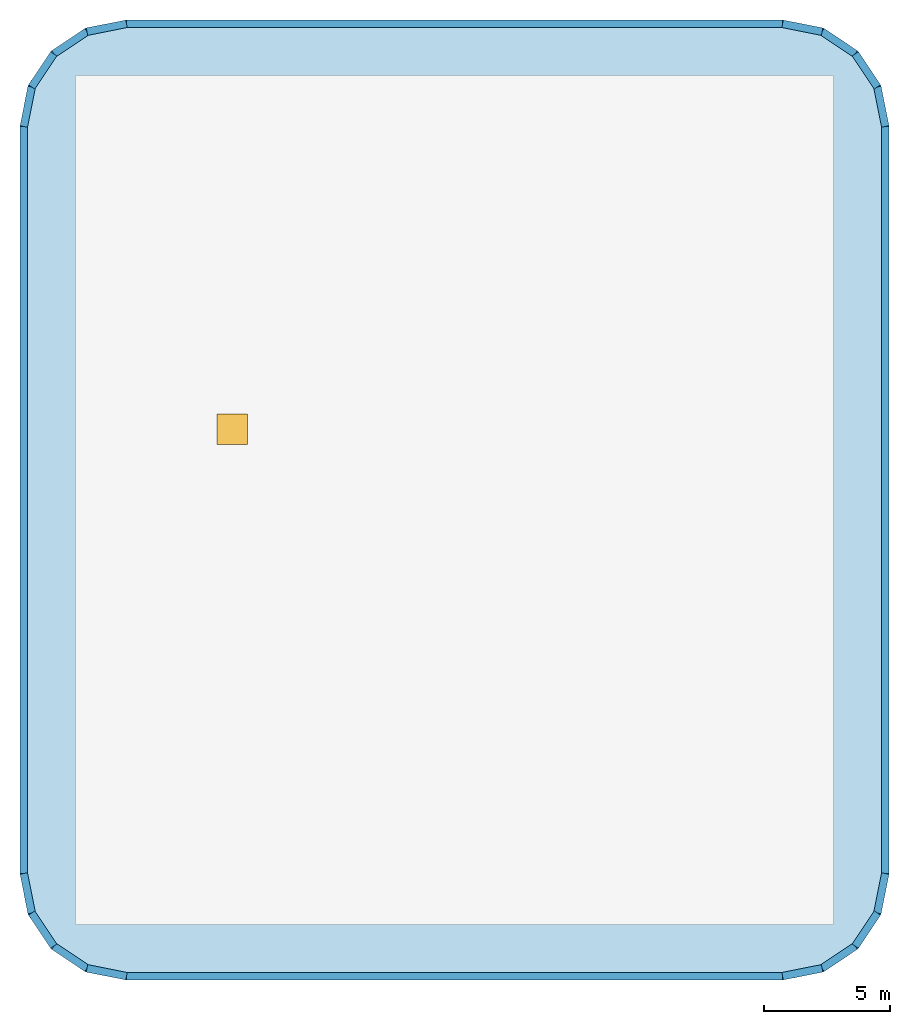
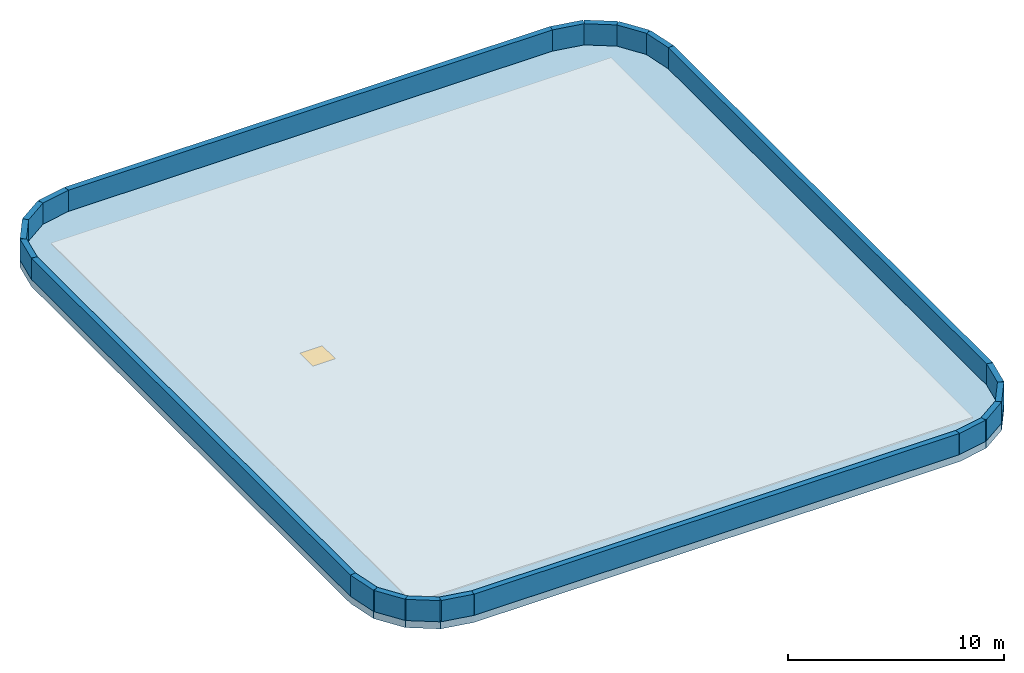
"""IFC4 building model written with IfcOpenShell, lengths in metres."""

from ifc_helpers import new_model, si_unit, direction, frame, frame_2d, origin, origin_2d, place, context, subcontext, project, spatial, polyline, rectangle, outline, extrude, material, layer, layer_set, type_object, element, fill, save


model = new_model("IFC4")

# Units and contexts
model_context = context("Model", 3, precision=1e-05, world=origin(), true_north=direction((0.0, 1.0)))
body_context = subcontext(model_context, "Body", "Model", "MODEL_VIEW")
ifc_project = project(units=[si_unit("LENGTHUNIT", "METRE"), si_unit("AREAUNIT", "SQUARE_METRE"), si_unit("VOLUMEUNIT", "CUBIC_METRE"), si_unit("PLANEANGLEUNIT", "RADIAN"), si_unit("MASSUNIT", "GRAM", prefix="KILO")], contexts=[model_context])

# Site, building, storey
site_placement = place(None, origin())
site = spatial("IfcSite", under=ifc_project, at=site_placement, CompositionType="ELEMENT")
building_placement = place(site_placement, origin())
building = spatial("IfcBuilding", under=site, at=building_placement, Name="Tolvann Quenvar Hotel", CompositionType="ELEMENT")
storey_1_placement = place(building_placement, frame((0.0, 0.0, 313.75)))
storey_1 = spatial("IfcBuildingStorey", under=building, at=storey_1_placement, Name="RF", CompositionType="ELEMENT", Elevation=313.75)

# Slab, opening
ifc_material_1 = material(Name="Concrete N50 (50 MPa)", Category="concrete")
ifc_layer_1 = layer(ifc_material_1, 0.39990234375)
ifc_layer_set_1 = layer_set([ifc_layer_1], Name="Concrete N50 (50 MPa)")
slab_type = type_object("IfcSlabType", Name="SLAB_ROOF_400", PredefinedType="ROOF", material=ifc_layer_set_1)
slab_placement = place(storey_1_placement, frame((0.0, 0.0, -0.39990234375)))
slab = element("IfcSlab", 1, at=slab_placement, inside=storey_1, type_object=slab_type, Name="Lantern Structural Cap Roof Slab", PredefinedType="ROOF", context=body_context, shape_type="SweptSolid", body=[
    extrude(outline(polyline([(3.60009765625, 10.39990234375), (3.919677734375, 8.792724609375), (4.830078125, 7.43017578125), (6.192626953125, 6.519775390625), (7.800048828125, 6.199951171875), (33.800048828125, 6.199951171875), (35.4072265625, 6.519775390625), (36.769775390625, 7.43017578125), (37.680419921875, 8.792724609375), (38.0, 10.39990234375), (38.0, 40.0), (37.680419921875, 41.607421875), (36.769775390625, 42.9697265625), (35.4072265625, 43.88037109375), (33.800048828125, 44.199951171875), (7.800048828125, 44.199951171875), (6.192626953125, 43.88037109375), (4.830078125, 42.9697265625), (3.919677734375, 41.607421875), (3.60009765625, 40.0), (3.60009765625, 10.39990234375)])), origin(), (0.0, 0.0, 1.0), 0.39990234375),
])
opening_placement = place(slab_placement, frame((12.0, 28.0, 0.0)))
opening = element("IfcOpeningElement", 2, at=opening_placement, cuts=slab, Name="Opening SK-01", PredefinedType="OPENING", context=body_context, shape_type="SweptSolid", body=[
    extrude(rectangle(XDim=1.199951171875, YDim=1.199951171875, at=origin_2d()), frame((0.0, 0.0, -0.010009765625)), (0.0, 0.0, 1.0), 0.419921875),
])

# Storey
storey_2_placement = place(building_placement, frame((0.0, 0.0, 309.949951171875)))
storey_2 = spatial("IfcBuildingStorey", under=building, at=storey_2_placement, Name="L82", CompositionType="ELEMENT", Elevation=309.949951171875)

# Window
ifc_material_2 = material(Name="Thermally broken bronze-anodised aluminium frame with double low-E glazing", Category="aluminium")
window_type = type_object("IfcWindowType", Name="SKY_HATCH_1200x1200", PartitioningType="SINGLE_PANEL", PredefinedType="SKYLIGHT", material=ifc_material_2)
window_placement = place(opening_placement, frame((0.0, 0.0, 0.33984375)))
window = element("IfcWindow", 3, at=window_placement, inside=storey_2, type_object=window_type, Name="Lantern Roof Maintenance Access Skylight Hatch", OverallHeight=1.199951171875, OverallWidth=1.199951171875, PartitioningType="SINGLE_PANEL", PredefinedType="SKYLIGHT", context=body_context, shape_type="SweptSolid", body=[
    extrude(rectangle(XDim=1.199951171875, YDim=1.199951171875, at=origin_2d()), origin(), (0.0, 0.0, 1.0), 0.06005859375),
])

fill(opening, window)

# Walls
ifc_material_3 = material(Name="Kiln-fired red and buff architectural clay brickwork and terracotta masonry", Category="masonry")
ifc_layer_2 = layer(ifc_material_3, 0.300048828125)
ifc_layer_set_2 = layer_set([ifc_layer_2], Name="Kiln-fired red and buff architectural clay brickwork and terracotta masonry")
wall_type = type_object("IfcWallType", Name="WALL_PARAPET_300", PredefinedType="PARAPET", material=ifc_layer_set_2)
wall_1_placement = place(storey_1_placement, frame((3.75, 10.414794921875, 0.0), z_axis=(0.0, 0.0, 1.0), x_axis=(0.0, 1.0, 0.0)))
element("IfcWall", 4, at=wall_1_placement, inside=storey_1, type_object=wall_type, Name="Lantern Crown Roof Parapet 01", PredefinedType="PARAPET", context=body_context, shape_type="SweptSolid", body=[
    extrude(rectangle(XDim=29.5703125, YDim=0.300048828125, at=frame_2d((14.78515625, 0.0))), origin(), (0.0, 0.0, 1.0), 1.199951171875),
])
wall_2_placement = place(storey_1_placement, frame((3.75, 39.985107421875, 0.0), z_axis=(0.0, 0.0, 1.0), x_axis=(0.195085356075, 0.980786268177, 0.0)))
element("IfcWall", 5, at=wall_2_placement, inside=storey_1, type_object=wall_type, Name="Lantern Crown Roof Parapet 02", PredefinedType="PARAPET", context=body_context, shape_type="SweptSolid", body=[
    extrude(rectangle(XDim=1.59423828125, YDim=0.300048828125, at=frame_2d((0.797119140625, 0.0))), origin(), (0.0, 0.0, 1.0), 1.199951171875),
])
for number, where, z_axis, x_axis, name in (
    (6, (4.06103515625, 41.548828125, 0.0), (0.0, 0.0, 1.0), (0.55552055883, 0.831502801389, 0.0), "Lantern Crown Roof Parapet 03"),
    (7, (4.938232421875, 42.86181640625, 0.0), (0.0, 0.0, 1.0), (0.831502801389, 0.55552055883, 0.0), "Lantern Crown Roof Parapet 04"),
):
    element("IfcWall", number, at=place(storey_1_placement, frame(where, z_axis=z_axis, x_axis=x_axis)), inside=storey_1, type_object=wall_type, Name=name, PredefinedType="PARAPET", context=body_context, shape_type="SweptSolid", body=[
        extrude(rectangle(XDim=1.5791015625, YDim=0.300048828125, at=frame_2d((0.78955078125, 0.0))), origin(), (0.0, 0.0, 1.0), 1.199951171875),
    ])
wall_3_placement = place(storey_1_placement, frame((6.251220703125, 43.739013671875, 0.0), z_axis=(0.0, 0.0, 1.0), x_axis=(0.980780439065, 0.195114659489, 0.0)))
element("IfcWall", 8, at=wall_3_placement, inside=storey_1, type_object=wall_type, Name="Lantern Crown Roof Parapet 05", PredefinedType="PARAPET", context=body_context, shape_type="SweptSolid", body=[
    extrude(rectangle(XDim=1.593994140625, YDim=0.300048828125, at=frame_2d((0.796875, 0.0))), origin(), (0.0, 0.0, 1.0), 1.199951171875),
])
wall_4_placement = place(storey_1_placement, frame((7.814697265625, 44.050048828125, 0.0), z_axis=(0.0, 0.0, 1.0), x_axis=(1.0, 0.0, 0.0)))
element("IfcWall", 9, at=wall_4_placement, inside=storey_1, type_object=wall_type, Name="Lantern Crown Roof Parapet 06", PredefinedType="PARAPET", context=body_context, shape_type="SweptSolid", body=[
    extrude(rectangle(XDim=25.970458984375, YDim=0.300048828125, at=frame_2d((12.9853515625, 0.0))), origin(), (0.0, 0.0, 1.0), 1.199951171875),
])
wall_5_placement = place(storey_1_placement, frame((33.78515625, 44.050048828125, 0.0), z_axis=(0.0, 0.0, 1.0), x_axis=(0.980786268177, -0.195085356075, 0.0)))
element("IfcWall", 10, at=wall_5_placement, inside=storey_1, type_object=wall_type, Name="Lantern Crown Roof Parapet 07", PredefinedType="PARAPET", context=body_context, shape_type="SweptSolid", body=[
    extrude(rectangle(XDim=1.59423828125, YDim=0.300048828125, at=frame_2d((0.797119140625, 0.0))), origin(), (0.0, 0.0, 1.0), 1.199951171875),
])
wall_6_placement = place(storey_1_placement, frame((35.348876953125, 43.739013671875, 0.0), z_axis=(0.0, 0.0, 1.0), x_axis=(0.831455078476, -0.555591983813, 0.0)))
element("IfcWall", 11, at=wall_6_placement, inside=storey_1, type_object=wall_type, Name="Lantern Crown Roof Parapet 08", PredefinedType="PARAPET", context=body_context, shape_type="SweptSolid", body=[
    extrude(rectangle(XDim=1.578857421875, YDim=0.300048828125, at=frame_2d((0.78955078125, 0.0))), origin(), (0.0, 0.0, 1.0), 1.199951171875),
])
wall_7_placement = place(storey_1_placement, frame((36.66162109375, 42.86181640625, 0.0), z_axis=(0.0, 0.0, 1.0), x_axis=(0.555627443249, -0.831431382802, 0.0)))
element("IfcWall", 12, at=wall_7_placement, inside=storey_1, type_object=wall_type, Name="Lantern Crown Roof Parapet 09", PredefinedType="PARAPET", context=body_context, shape_type="SweptSolid", body=[
    extrude(rectangle(XDim=1.5791015625, YDim=0.300048828125, at=frame_2d((0.78955078125, 0.0))), origin(), (0.0, 0.0, 1.0), 1.199951171875),
])
wall_8_placement = place(storey_1_placement, frame((37.5390625, 41.548828125, 0.0), z_axis=(0.0, 0.0, 1.0), x_axis=(0.195085356075, -0.980786268177, 0.0)))
element("IfcWall", 13, at=wall_8_placement, inside=storey_1, type_object=wall_type, Name="Lantern Crown Roof Parapet 10", PredefinedType="PARAPET", context=body_context, shape_type="SweptSolid", body=[
    extrude(rectangle(XDim=1.59423828125, YDim=0.300048828125, at=frame_2d((0.797119140625, 0.0))), origin(), (0.0, 0.0, 1.0), 1.199951171875),
])
wall_9_placement = place(storey_1_placement, frame((37.85009765625, 39.985107421875, 0.0), z_axis=(0.0, 0.0, 1.0), x_axis=(0.0, -1.0, 0.0)))
element("IfcWall", 14, at=wall_9_placement, inside=storey_1, type_object=wall_type, Name="Lantern Crown Roof Parapet 11", PredefinedType="PARAPET", context=body_context, shape_type="SweptSolid", body=[
    extrude(rectangle(XDim=29.5703125, YDim=0.300048828125, at=frame_2d((14.78515625, 0.0))), origin(), (0.0, 0.0, 1.0), 1.199951171875),
])
wall_10_placement = place(storey_1_placement, frame((37.85009765625, 10.414794921875, 0.0), z_axis=(0.0, 0.0, 1.0), x_axis=(-0.195114659489, -0.980780439065, 0.0)))
element("IfcWall", 15, at=wall_10_placement, inside=storey_1, type_object=wall_type, Name="Lantern Crown Roof Parapet 12", PredefinedType="PARAPET", context=body_context, shape_type="SweptSolid", body=[
    extrude(rectangle(XDim=1.593994140625, YDim=0.300048828125, at=frame_2d((0.796875, 0.0))), origin(), (0.0, 0.0, 1.0), 1.199951171875),
])
for number, where, z_axis, x_axis, name in (
    (16, (37.5390625, 8.851318359375, 0.0), (0.0, 0.0, 1.0), (-0.555627443249, -0.831431382802, 0.0), "Lantern Crown Roof Parapet 13"),
    (17, (36.66162109375, 7.538330078125, 0.0), (0.0, 0.0, 1.0), (-0.831383645626, -0.5556988697, 0.0), "Lantern Crown Roof Parapet 14"),
):
    element("IfcWall", number, at=place(storey_1_placement, frame(where, z_axis=z_axis, x_axis=x_axis)), inside=storey_1, type_object=wall_type, Name=name, PredefinedType="PARAPET", context=body_context, shape_type="SweptSolid", body=[
        extrude(rectangle(XDim=1.5791015625, YDim=0.300048828125, at=frame_2d((0.78955078125, 0.0))), origin(), (0.0, 0.0, 1.0), 1.199951171875),
    ])
wall_11_placement = place(storey_1_placement, frame((35.348876953125, 6.660888671875, 0.0), z_axis=(0.0, 0.0, 1.0), x_axis=(-0.980815557091, -0.194938049052, 0.0)))
element("IfcWall", 18, at=wall_11_placement, inside=storey_1, type_object=wall_type, Name="Lantern Crown Roof Parapet 15", PredefinedType="PARAPET", context=body_context, shape_type="SweptSolid", body=[
    extrude(rectangle(XDim=1.59423828125, YDim=0.300048828125, at=frame_2d((0.797119140625, 0.0))), origin(), (0.0, 0.0, 1.0), 1.199951171875),
])
wall_12_placement = place(storey_1_placement, frame((33.78515625, 6.35009765625, 0.0), z_axis=(0.0, 0.0, 1.0), x_axis=(-1.0, 0.0, 0.0)))
element("IfcWall", 19, at=wall_12_placement, inside=storey_1, type_object=wall_type, Name="Lantern Crown Roof Parapet 16", PredefinedType="PARAPET", context=body_context, shape_type="SweptSolid", body=[
    extrude(rectangle(XDim=25.970458984375, YDim=0.300048828125, at=frame_2d((12.9853515625, 0.0))), origin(), (0.0, 0.0, 1.0), 1.199951171875),
])
wall_13_placement = place(storey_1_placement, frame((7.814697265625, 6.35009765625, 0.0), z_axis=(0.0, 0.0, 1.0), x_axis=(-0.980809736604, 0.194967332089, 0.0)))
element("IfcWall", 20, at=wall_13_placement, inside=storey_1, type_object=wall_type, Name="Lantern Crown Roof Parapet 17", PredefinedType="PARAPET", context=body_context, shape_type="SweptSolid", body=[
    extrude(rectangle(XDim=1.593994140625, YDim=0.300048828125, at=frame_2d((0.796875, 0.0))), origin(), (0.0, 0.0, 1.0), 1.199951171875),
])
for number, where, z_axis, x_axis, name in (
    (21, (6.251220703125, 6.660888671875, 0.0), (0.0, 0.0, 1.0), (-0.831431382802, 0.555627443249, 0.0), "Lantern Crown Roof Parapet 18"),
    (22, (4.938232421875, 7.538330078125, 0.0), (0.0, 0.0, 1.0), (-0.55552055883, 0.831502801389, 0.0), "Lantern Crown Roof Parapet 19"),
):
    element("IfcWall", number, at=place(storey_1_placement, frame(where, z_axis=z_axis, x_axis=x_axis)), inside=storey_1, type_object=wall_type, Name=name, PredefinedType="PARAPET", context=body_context, shape_type="SweptSolid", body=[
        extrude(rectangle(XDim=1.5791015625, YDim=0.300048828125, at=frame_2d((0.78955078125, 0.0))), origin(), (0.0, 0.0, 1.0), 1.199951171875),
    ])
wall_14_placement = place(storey_1_placement, frame((4.06103515625, 8.851318359375, 0.0), z_axis=(0.0, 0.0, 1.0), x_axis=(-0.195114659489, 0.980780439065, 0.0)))
element("IfcWall", 23, at=wall_14_placement, inside=storey_1, type_object=wall_type, Name="Lantern Crown Roof Parapet 20", PredefinedType="PARAPET", context=body_context, shape_type="SweptSolid", body=[
    extrude(rectangle(XDim=1.593994140625, YDim=0.300048828125, at=frame_2d((0.796875, 0.0))), origin(), (0.0, 0.0, 1.0), 1.199951171875),
])

save(model, "model.ifc")
